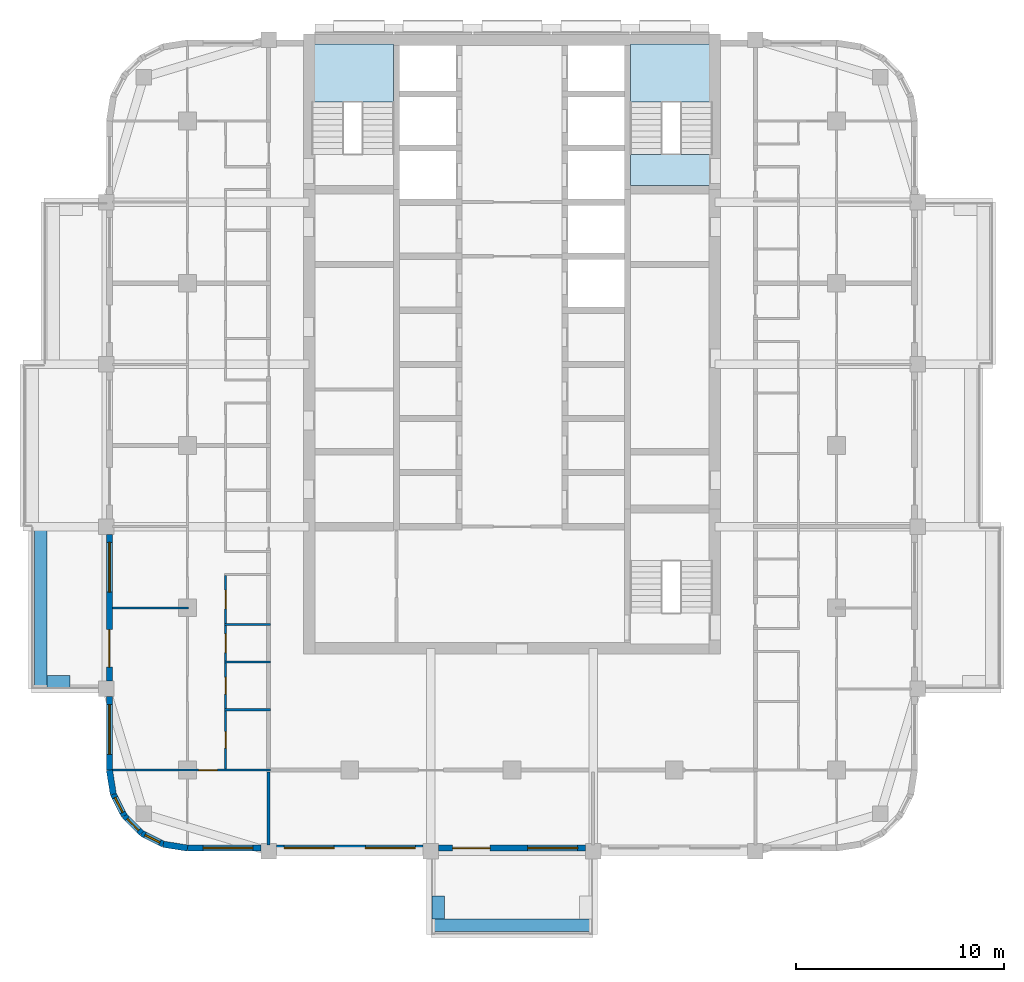
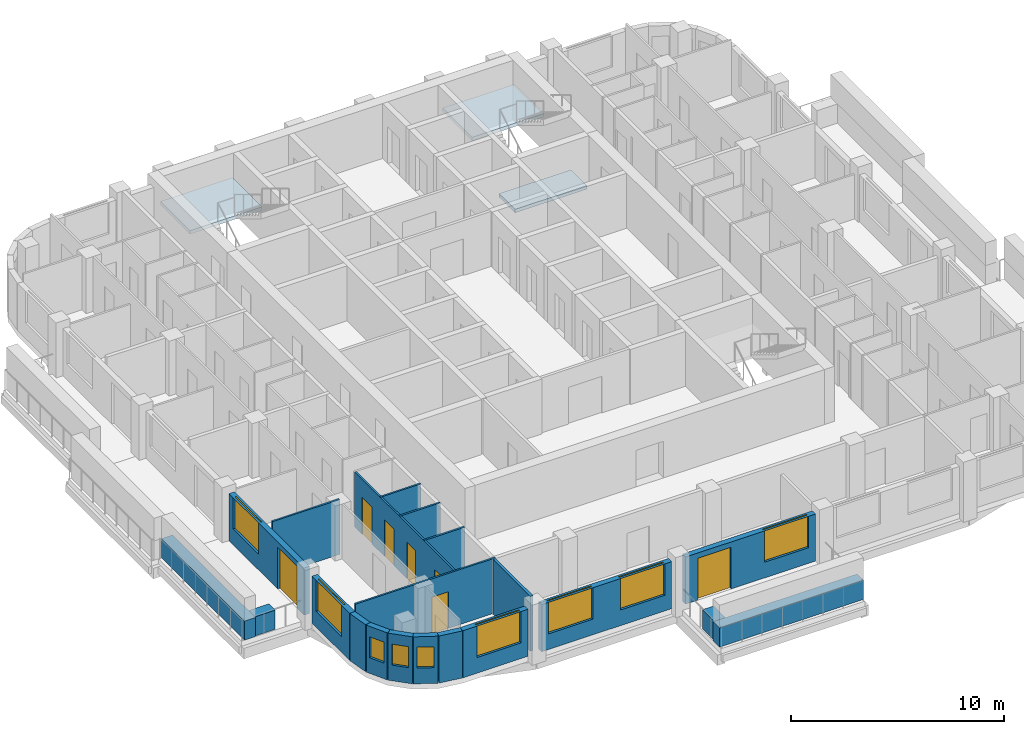
# One storey, part 2 of 13: 21 walls, 9 windows, 7 doors, 3 slabs, 16 openings, 2 elements without a shape of their own.
"""IFC4 building model written with IfcOpenShell, lengths in metres."""

from ifc_helpers import new_model, si_unit, direction, frame, frame_2d, origin, place, context, subcontext, project, spatial, polyline, rectangle, outline, extrude, material, layer, layer_set, type_object, element, fill, aggregate, save


model = new_model("IFC4")

# Units and contexts
model_context = context("Model", 3, precision=1e-05, world=origin(), true_north=direction((0.0, 1.0)))
body_context = subcontext(model_context, "Body", "Model", "MODEL_VIEW")
ifc_project = project(units=[si_unit("LENGTHUNIT", "METRE"), si_unit("AREAUNIT", "SQUARE_METRE"), si_unit("VOLUMEUNIT", "CUBIC_METRE"), si_unit("PLANEANGLEUNIT", "RADIAN"), si_unit("MASSUNIT", "GRAM", prefix="KILO")], contexts=[model_context])

# Site, building, storey
site_placement = place(None, origin())
site = spatial("IfcSite", under=ifc_project, at=site_placement, CompositionType="ELEMENT")
building_placement = place(site_placement, origin())
building = spatial("IfcBuilding", under=site, at=building_placement, Name="Ludao Terraces", CompositionType="ELEMENT")
storey_placement = place(building_placement, frame((0.0, 0.0, 179.199951171875)))
storey = spatial("IfcBuildingStorey", under=building, at=storey_placement, Name="L48", CompositionType="ELEMENT", Elevation=179.199951171875)

# Stair, slab
ifc_material_1 = material(Name="Concrete C40", Category="concrete")
stair_type = type_object("IfcStairType", Name="INT Stair", PredefinedType="HALF_TURN_STAIR", material=ifc_material_1)
stair_1_placement = place(storey_placement, origin())
stair_1 = element("IfcStair", 1, at=stair_1_placement, inside=storey, type_object=stair_type, Name="EXIT STAIR 1", PredefinedType="HALF_TURN_STAIR")
ifc_layer_1 = layer(ifc_material_1, 0.199951171875)
ifc_layer_set_1 = layer_set([ifc_layer_1], Name="INT Stair landing 200")
slab_type = type_object("IfcSlabType", Name="INT Stair landing 200", PredefinedType="LANDING", material=ifc_layer_set_1)
slab_1_placement = place(storey_placement, frame((0.0, 0.0, 1.5)))
slab_1 = element("IfcSlab", 2, at=slab_1_placement, type_object=slab_type, Name="ST1 landing 1", PredefinedType="LANDING", context=body_context, shape_type="SweptSolid", body=[
    extrude(outline(polyline([(75.39990234375, 81.52001953125), (79.300048828125, 81.52001953125), (79.300048828125, 84.300048828125), (75.39990234375, 84.300048828125), (75.39990234375, 81.52001953125)])), origin(), (0.0, 0.0, 1.0), 0.199951171875),
])
aggregate(stair_1, [slab_1])

# Stair, slabs
stair_2_placement = place(storey_placement, origin())
stair_2 = element("IfcStair", 3, at=stair_2_placement, inside=storey, type_object=stair_type, Name="EXIT STAIR 2", PredefinedType="HALF_TURN_STAIR")
slab_2_placement = place(storey_placement, frame((0.0, 0.0, 1.5)))
slab_2 = element("IfcSlab", 4, at=slab_2_placement, type_object=slab_type, Name="ST2 landing 1", PredefinedType="LANDING", context=body_context, shape_type="SweptSolid", body=[
    extrude(outline(polyline([(90.699951171875, 81.52001953125), (94.60009765625, 81.52001953125), (94.60009765625, 84.300048828125), (90.699951171875, 84.300048828125), (90.699951171875, 81.52001953125)])), origin(), (0.0, 0.0, 1.0), 0.199951171875),
])
slab_3_placement = place(storey_placement, frame((0.0, 0.0, -0.199951171875)))
slab_3 = element("IfcSlab", 5, at=slab_3_placement, type_object=slab_type, Name="ST2 landing 2", PredefinedType="LANDING", context=body_context, shape_type="SweptSolid", body=[
    extrude(outline(polyline([(90.699951171875, 77.5), (94.60009765625, 77.5), (94.60009765625, 79.0), (90.699951171875, 79.0), (90.699951171875, 77.5)])), origin(), (0.0, 0.0, 1.0), 0.199951171875),
])
aggregate(stair_2, [slab_2, slab_3])

# Walls
ifc_layer_2 = layer(ifc_material_1, 0.60009765625)
ifc_layer_set_2 = layer_set([ifc_layer_2], Name="ENV Planter trough 600")
wall_type_1 = type_object("IfcWallType", Name="ENV Planter trough 600", PredefinedType="USERDEFINED", material=ifc_layer_set_2)
wall_1_placement = place(storey_placement, frame((81.10009765625, 41.949951171875, 0.0), z_axis=(0.0, 0.0, 1.0), x_axis=(1.0, 0.0, 0.0)))
element("IfcWall", 6, at=wall_1_placement, inside=storey, type_object=wall_type_1, Name="PL-L48-S1", ObjectType="PLANTER", PredefinedType="USERDEFINED", context=body_context, shape_type="SweptSolid", body=[
    extrude(rectangle(XDim=7.7998046875, YDim=0.60009765625, at=frame_2d((3.89990234375, 0.0))), origin(), (0.0, 0.0, 1.0), 1.10009765625),
])
wall_2_placement = place(storey_placement, frame((81.449951171875, 42.25, 0.0), z_axis=(0.0, 0.0, 1.0), x_axis=(0.0, 1.0, 0.0)))
element("IfcWall", 7, at=wall_2_placement, inside=storey, type_object=wall_type_1, Name="PL-L48-S1-SA", ObjectType="PLANTER", PredefinedType="USERDEFINED", context=body_context, shape_type="SweptSolid", body=[
    extrude(rectangle(XDim=1.10009765625, YDim=0.60009765625, at=frame_2d((0.550048828125, 0.0))), origin(), (0.0, 0.0, 1.0), 1.10009765625),
])
wall_3_placement = place(storey_placement, frame((62.35009765625, 53.300048828125, 0.0), z_axis=(0.0, 0.0, 1.0), x_axis=(0.0, 1.0, 0.0)))
element("IfcWall", 8, at=wall_3_placement, inside=storey, type_object=wall_type_1, Name="PL-L48-W1", ObjectType="PLANTER", PredefinedType="USERDEFINED", context=body_context, shape_type="SweptSolid", body=[
    extrude(rectangle(XDim=7.800048828125, YDim=0.60009765625, at=frame_2d((3.89990234375, 0.0))), origin(), (0.0, 0.0, 1.0), 1.10009765625),
])
wall_4_placement = place(storey_placement, frame((62.64990234375, 53.64990234375, 0.0), z_axis=(0.0, 0.0, 1.0), x_axis=(1.0, 0.0, 0.0)))
element("IfcWall", 9, at=wall_4_placement, inside=storey, type_object=wall_type_1, Name="PL-L48-W1-SA", ObjectType="PLANTER", PredefinedType="USERDEFINED", context=body_context, shape_type="SweptSolid", body=[
    extrude(rectangle(XDim=1.10009765625, YDim=0.60009765625, at=frame_2d((0.550048828125, 0.0))), origin(), (0.0, 0.0, 1.0), 1.10009765625),
])

# Wall, opening, window
ifc_material_2 = material(Name="Granite cladding", Category="masonry")
ifc_layer_3 = layer(ifc_material_2, 0.0400390625, Category="stone")
ifc_material_3 = material(Name="Mineral wool")
ifc_layer_4 = layer(ifc_material_3, 0.06005859375)
ifc_layer_5 = layer(ifc_material_1, 0.199951171875, Category="concrete")
ifc_layer_set_3 = layer_set([ifc_layer_3, ifc_layer_4, ifc_layer_5], Name="ENV Stone-clad wall 300")
wall_type_2 = type_object("IfcWallType", Name="ENV Stone-clad wall 300", PredefinedType="SOLIDWALL", material=ifc_layer_set_3)
wall_5_placement = place(storey_placement, frame((69.39990234375, 45.64990234375, 0.0), z_axis=(0.0, 0.0, 1.0), x_axis=(1.0, 0.0, 0.0)))
wall_5 = element("IfcWall", 10, at=wall_5_placement, inside=storey, type_object=wall_type_2, Name="EW-L48-S1", PredefinedType="SOLIDWALL", context=body_context, shape_type="SweptSolid", body=[
    extrude(rectangle(XDim=3.525146484375, YDim=0.300048828125, at=frame_2d((1.7626953125, 0.0))), origin(), (0.0, 0.0, 1.0), 2.699951171875),
])
opening_1_placement = place(wall_5_placement, frame((0.75, 0.0, 0.89990234375)))
opening_1 = element("IfcOpeningElement", 11, at=opening_1_placement, cuts=wall_5, Name="Opening W1", PredefinedType="OPENING", context=body_context, shape_type="SweptSolid", body=[
    extrude(rectangle(XDim=2.39990234375, YDim=1.800048828125, at=frame_2d((1.199951171875, 0.89990234375))), frame((0.0, 0.16015625, 0.0), z_axis=(0.0, -1.0, 0.0), x_axis=(1.0, 0.0, 0.0)), (0.0, 0.0, 1.0), 0.320068359375),
])
ifc_material_4 = material(Name="Clear glass in aluminium frame", Category="aluminium")
ifc_layer_6 = layer(ifc_material_4, 0.06005859375)
ifc_layer_set_4 = layer_set([ifc_layer_6], Name="ENV Window W1 2400x1800")
window_type_1 = type_object("IfcWindowType", Name="ENV Window W1 2400x1800", PartitioningType="DOUBLE_PANEL_VERTICAL", PredefinedType="WINDOW", material=ifc_layer_set_4)
window_1_placement = place(opening_1_placement, origin())
window_1 = element("IfcWindow", 12, at=window_1_placement, inside=storey, type_object=window_type_1, Name="W-L48-S1-1", OverallHeight=1.800048828125, OverallWidth=2.39990234375, PartitioningType="DOUBLE_PANEL_VERTICAL", PredefinedType="WINDOW", context=body_context, shape_type="SweptSolid", body=[
    extrude(rectangle(XDim=2.39990234375, YDim=1.800048828125, at=frame_2d((1.199951171875, 0.89990234375))), frame((0.0, 0.030029296875, 0.0), z_axis=(0.0, -1.0, 0.0), x_axis=(1.0, 0.0, 0.0)), (0.0, 0.0, 1.0), 0.06005859375),
])
fill(opening_1, window_1)

# Wall, openings, windows
wall_6_placement = place(storey_placement, frame((73.675048828125, 45.64990234375, 0.0), z_axis=(0.0, 0.0, 1.0), x_axis=(1.0, 0.0, 0.0)))
wall_6 = element("IfcWall", 13, at=wall_6_placement, inside=storey, type_object=wall_type_2, Name="EW-L48-S2", PredefinedType="SOLIDWALL", context=body_context, shape_type="SweptSolid", body=[
    extrude(rectangle(XDim=7.050048828125, YDim=0.300048828125, at=frame_2d((3.52490234375, 0.0))), origin(), (0.0, 0.0, 1.0), 2.699951171875),
])
opening_2_placement = place(wall_6_placement, frame((0.375, 0.0, 0.89990234375)))
opening_2 = element("IfcOpeningElement", 14, at=opening_2_placement, cuts=wall_6, Name="Opening W1", PredefinedType="OPENING", context=body_context, shape_type="SweptSolid", body=[
    extrude(rectangle(XDim=2.39990234375, YDim=1.800048828125, at=frame_2d((1.199951171875, 0.89990234375))), frame((0.0, 0.16015625, 0.0), z_axis=(0.0, -1.0, 0.0), x_axis=(1.0, 0.0, 0.0)), (0.0, 0.0, 1.0), 0.320068359375),
])
opening_3_placement = place(wall_6_placement, frame((4.27490234375, 0.0, 0.89990234375)))
opening_3 = element("IfcOpeningElement", 15, at=opening_3_placement, cuts=wall_6, Name="Opening W1", PredefinedType="OPENING", context=body_context, shape_type="SweptSolid", body=[
    extrude(rectangle(XDim=2.39990234375, YDim=1.800048828125, at=frame_2d((1.199951171875, 0.89990234375))), frame((0.0, 0.16015625, 0.0), z_axis=(0.0, -1.0, 0.0), x_axis=(1.0, 0.0, 0.0)), (0.0, 0.0, 1.0), 0.320068359375),
])
window_2_placement = place(opening_2_placement, origin())
window_2 = element("IfcWindow", 16, at=window_2_placement, inside=storey, type_object=window_type_1, Name="W-L48-S2-1", OverallHeight=1.800048828125, OverallWidth=2.39990234375, PartitioningType="DOUBLE_PANEL_VERTICAL", PredefinedType="WINDOW", context=body_context, shape_type="SweptSolid", body=[
    extrude(rectangle(XDim=2.39990234375, YDim=1.800048828125, at=frame_2d((1.199951171875, 0.89990234375))), frame((0.0, 0.030029296875, 0.0), z_axis=(0.0, -1.0, 0.0), x_axis=(1.0, 0.0, 0.0)), (0.0, 0.0, 1.0), 0.06005859375),
])
fill(opening_2, window_2)
window_3_placement = place(opening_3_placement, origin())
window_3 = element("IfcWindow", 17, at=window_3_placement, inside=storey, type_object=window_type_1, Name="W-L48-S2-2", OverallHeight=1.800048828125, OverallWidth=2.39990234375, PartitioningType="DOUBLE_PANEL_VERTICAL", PredefinedType="WINDOW", context=body_context, shape_type="SweptSolid", body=[
    extrude(rectangle(XDim=2.39990234375, YDim=1.800048828125, at=frame_2d((1.199951171875, 0.89990234375))), frame((0.0, 0.030029296875, 0.0), z_axis=(0.0, -1.0, 0.0), x_axis=(1.0, 0.0, 0.0)), (0.0, 0.0, 1.0), 0.06005859375),
])
fill(opening_3, window_3)

# Wall, openings, door, window
wall_7_placement = place(storey_placement, frame((81.47509765625, 45.64990234375, 0.0), z_axis=(0.0, 0.0, 1.0), x_axis=(1.0, 0.0, 0.0)))
wall_7 = element("IfcWall", 18, at=wall_7_placement, inside=storey, type_object=wall_type_2, Name="EW-L48-S3", PredefinedType="SOLIDWALL", context=body_context, shape_type="SweptSolid", body=[
    extrude(rectangle(XDim=7.0498046875, YDim=0.300048828125, at=frame_2d((3.52490234375, 0.0))), origin(), (0.0, 0.0, 1.0), 2.699951171875),
])
opening_4_placement = place(wall_7_placement, frame((0.675048828125, 0.0, 0.0)))
opening_4 = element("IfcOpeningElement", 19, at=opening_4_placement, cuts=wall_7, Name="Opening BD", PredefinedType="OPENING", context=body_context, shape_type="SweptSolid", body=[
    extrude(rectangle(XDim=1.800048828125, YDim=2.39990234375, at=frame_2d((0.89990234375, 1.199951171875))), frame((0.0, 0.16015625, 0.0), z_axis=(0.0, -1.0, 0.0), x_axis=(1.0, 0.0, 0.0)), (0.0, 0.0, 1.0), 0.320068359375),
])
opening_5_placement = place(wall_7_placement, frame((4.27490234375, 0.0, 0.89990234375)))
opening_5 = element("IfcOpeningElement", 20, at=opening_5_placement, cuts=wall_7, Name="Opening W1", PredefinedType="OPENING", context=body_context, shape_type="SweptSolid", body=[
    extrude(rectangle(XDim=2.39990234375, YDim=1.800048828125, at=frame_2d((1.199951171875, 0.89990234375))), frame((0.0, 0.16015625, 0.0), z_axis=(0.0, -1.0, 0.0), x_axis=(1.0, 0.0, 0.0)), (0.0, 0.0, 1.0), 0.320068359375),
])
ifc_material_5 = material(Name="Aluminium glazed door", Category="aluminium")
ifc_layer_7 = layer(ifc_material_5, 0.06005859375)
ifc_layer_set_5 = layer_set([ifc_layer_7], Name="ENV Balcony door BD 1800x2400")
door_type_1 = type_object("IfcDoorType", Name="ENV Balcony door BD 1800x2400", OperationType="DOUBLE_DOOR_SINGLE_SWING", PredefinedType="DOOR", material=ifc_layer_set_5)
door_1_placement = place(opening_4_placement, origin())
door_1 = element("IfcDoor", 21, at=door_1_placement, inside=storey, type_object=door_type_1, Name="BD-L48-S3-1", OperationType="DOUBLE_DOOR_SINGLE_SWING", OverallHeight=2.39990234375, OverallWidth=1.800048828125, PredefinedType="DOOR", context=body_context, shape_type="SweptSolid", body=[
    extrude(rectangle(XDim=1.800048828125, YDim=2.39990234375, at=frame_2d((0.89990234375, 1.199951171875))), frame((0.0, 0.02490234375, 0.0), z_axis=(0.0, -1.0, 0.0), x_axis=(1.0, 0.0, 0.0)), (0.0, 0.0, 1.0), 0.050048828125),
])
fill(opening_4, door_1)
window_4_placement = place(opening_5_placement, origin())
window_4 = element("IfcWindow", 22, at=window_4_placement, inside=storey, type_object=window_type_1, Name="W-L48-S3-2", OverallHeight=1.800048828125, OverallWidth=2.39990234375, PartitioningType="DOUBLE_PANEL_VERTICAL", PredefinedType="WINDOW", context=body_context, shape_type="SweptSolid", body=[
    extrude(rectangle(XDim=2.39990234375, YDim=1.800048828125, at=frame_2d((1.199951171875, 0.89990234375))), frame((0.0, 0.030029296875, 0.0), z_axis=(0.0, -1.0, 0.0), x_axis=(1.0, 0.0, 0.0)), (0.0, 0.0, 1.0), 0.06005859375),
])
fill(opening_5, window_4)

# Wall, opening, window
wall_8_placement = place(storey_placement, frame((65.64990234375, 49.39990234375, 0.0), z_axis=(0.0, 0.0, 1.0), x_axis=(0.0, 1.0, 0.0)))
wall_8 = element("IfcWall", 23, at=wall_8_placement, inside=storey, type_object=wall_type_2, Name="EW-L48-W1", PredefinedType="SOLIDWALL", context=body_context, shape_type="SweptSolid", body=[
    extrude(rectangle(XDim=3.525146484375, YDim=0.300048828125, at=frame_2d((1.7626953125, 0.0))), origin(), (0.0, 0.0, 1.0), 2.699951171875),
])
opening_6_placement = place(wall_8_placement, frame((0.75, 0.0, 0.89990234375)))
opening_6 = element("IfcOpeningElement", 24, at=opening_6_placement, cuts=wall_8, Name="Opening W1", PredefinedType="OPENING", context=body_context, shape_type="SweptSolid", body=[
    extrude(rectangle(XDim=2.39990234375, YDim=1.800048828125, at=frame_2d((1.199951171875, 0.89990234375))), frame((0.0, 0.16015625, 0.0), z_axis=(0.0, -1.0, 0.0), x_axis=(1.0, 0.0, 0.0)), (0.0, 0.0, 1.0), 0.320068359375),
])
window_5_placement = place(opening_6_placement, origin())
window_5 = element("IfcWindow", 25, at=window_5_placement, inside=storey, type_object=window_type_1, Name="W-L48-W1-1", OverallHeight=1.800048828125, OverallWidth=2.39990234375, PartitioningType="DOUBLE_PANEL_VERTICAL", PredefinedType="WINDOW", context=body_context, shape_type="SweptSolid", body=[
    extrude(rectangle(XDim=2.39990234375, YDim=1.800048828125, at=frame_2d((1.199951171875, 0.89990234375))), frame((0.0, 0.030029296875, 0.0), z_axis=(0.0, -1.0, 0.0), x_axis=(1.0, 0.0, 0.0)), (0.0, 0.0, 1.0), 0.06005859375),
])
fill(opening_6, window_5)

# Wall, openings, door, window
wall_9_placement = place(storey_placement, frame((65.64990234375, 53.675048828125, 0.0), z_axis=(0.0, 0.0, 1.0), x_axis=(0.0, 1.0, 0.0)))
wall_9 = element("IfcWall", 26, at=wall_9_placement, inside=storey, type_object=wall_type_2, Name="EW-L48-W2", PredefinedType="SOLIDWALL", context=body_context, shape_type="SweptSolid", body=[
    extrude(rectangle(XDim=7.050048828125, YDim=0.300048828125, at=frame_2d((3.52490234375, 0.0))), origin(), (0.0, 0.0, 1.0), 2.699951171875),
])
opening_7_placement = place(wall_9_placement, frame((0.675048828125, 0.0, 0.0)))
opening_7 = element("IfcOpeningElement", 27, at=opening_7_placement, cuts=wall_9, Name="Opening BD", PredefinedType="OPENING", context=body_context, shape_type="SweptSolid", body=[
    extrude(rectangle(XDim=1.800048828125, YDim=2.39990234375, at=frame_2d((0.89990234375, 1.199951171875))), frame((0.0, 0.16015625, 0.0), z_axis=(0.0, -1.0, 0.0), x_axis=(1.0, 0.0, 0.0)), (0.0, 0.0, 1.0), 0.320068359375),
])
opening_8_placement = place(wall_9_placement, frame((4.27490234375, 0.0, 0.89990234375)))
opening_8 = element("IfcOpeningElement", 28, at=opening_8_placement, cuts=wall_9, Name="Opening W1", PredefinedType="OPENING", context=body_context, shape_type="SweptSolid", body=[
    extrude(rectangle(XDim=2.39990234375, YDim=1.800048828125, at=frame_2d((1.199951171875, 0.89990234375))), frame((0.0, 0.16015625, 0.0), z_axis=(0.0, -1.0, 0.0), x_axis=(1.0, 0.0, 0.0)), (0.0, 0.0, 1.0), 0.320068359375),
])
door_2_placement = place(opening_7_placement, origin())
door_2 = element("IfcDoor", 29, at=door_2_placement, inside=storey, type_object=door_type_1, Name="BD-L48-W2-1", OperationType="DOUBLE_DOOR_SINGLE_SWING", OverallHeight=2.39990234375, OverallWidth=1.800048828125, PredefinedType="DOOR", context=body_context, shape_type="SweptSolid", body=[
    extrude(rectangle(XDim=1.800048828125, YDim=2.39990234375, at=frame_2d((0.89990234375, 1.199951171875))), frame((0.0, 0.02490234375, 0.0), z_axis=(0.0, -1.0, 0.0), x_axis=(1.0, 0.0, 0.0)), (0.0, 0.0, 1.0), 0.050048828125),
])
fill(opening_7, door_2)
window_6_placement = place(opening_8_placement, origin())
window_6 = element("IfcWindow", 30, at=window_6_placement, inside=storey, type_object=window_type_1, Name="W-L48-W2-2", OverallHeight=1.800048828125, OverallWidth=2.39990234375, PartitioningType="DOUBLE_PANEL_VERTICAL", PredefinedType="WINDOW", context=body_context, shape_type="SweptSolid", body=[
    extrude(rectangle(XDim=2.39990234375, YDim=1.800048828125, at=frame_2d((1.199951171875, 0.89990234375))), frame((0.0, 0.030029296875, 0.0), z_axis=(0.0, -1.0, 0.0), x_axis=(1.0, 0.0, 0.0)), (0.0, 0.0, 1.0), 0.06005859375),
])
fill(opening_8, window_6)

# Wall
wall_10_placement = place(storey_placement, frame((65.64990234375, 49.39990234375, 0.0), z_axis=(0.0, 0.0, 1.0), x_axis=(0.156496880861, -0.987678452879, 0.0)))
element("IfcWall", 31, at=wall_10_placement, inside=storey, type_object=wall_type_2, Name="EW-L48-SW1", PredefinedType="SOLIDWALL", context=body_context, shape_type="SweptSolid", body=[
    extrude(rectangle(XDim=1.173095703125, YDim=0.300048828125, at=frame_2d((0.58642578125, 0.0))), origin(), (0.0, 0.0, 1.0), 2.699951171875),
])

# Wall, opening, window
wall_11_placement = place(storey_placement, frame((65.83349609375, 48.2412109375, 0.0), z_axis=(0.0, 0.0, 1.0), x_axis=(0.454025524128, -0.890988677504, 0.0)))
wall_11 = element("IfcWall", 32, at=wall_11_placement, inside=storey, type_object=wall_type_2, Name="EW-L48-SW2", PredefinedType="SOLIDWALL", context=body_context, shape_type="SweptSolid", body=[
    extrude(rectangle(XDim=1.17333984375, YDim=0.300048828125, at=frame_2d((0.586669921875, 0.0))), origin(), (0.0, 0.0, 1.0), 2.699951171875),
])
opening_9_placement = place(wall_11_placement, frame((0.1865234375, 0.0, 0.89990234375)))
opening_9 = element("IfcOpeningElement", 33, at=opening_9_placement, cuts=wall_11, Name="Opening W3", PredefinedType="OPENING", context=body_context, shape_type="SweptSolid", body=[
    extrude(rectangle(XDim=0.800048828125, YDim=1.199951171875, at=frame_2d((0.39990234375, 0.60009765625))), frame((0.0, 0.16015625, 0.0), z_axis=(0.0, -1.0, 0.0), x_axis=(1.0, 0.0, 0.0)), (0.0, 0.0, 1.0), 0.320068359375),
])
ifc_layer_8 = layer(ifc_material_4, 0.06005859375)
ifc_layer_set_6 = layer_set([ifc_layer_8], Name="ENV Window W3 800x1200")
window_type_2 = type_object("IfcWindowType", Name="ENV Window W3 800x1200", PartitioningType="SINGLE_PANEL", PredefinedType="WINDOW", material=ifc_layer_set_6)
window_7_placement = place(opening_9_placement, origin())
window_7 = element("IfcWindow", 34, at=window_7_placement, inside=storey, type_object=window_type_2, Name="W-L48-SW2", OverallHeight=1.199951171875, OverallWidth=0.800048828125, PartitioningType="SINGLE_PANEL", PredefinedType="WINDOW", context=body_context, shape_type="SweptSolid", body=[
    extrude(rectangle(XDim=0.800048828125, YDim=1.199951171875, at=frame_2d((0.39990234375, 0.60009765625))), frame((0.0, 0.030029296875, 0.0), z_axis=(0.0, -1.0, 0.0), x_axis=(1.0, 0.0, 0.0)), (0.0, 0.0, 1.0), 0.06005859375),
])
fill(opening_9, window_7)

wall_12_placement = place(storey_placement, frame((66.3662109375, 47.19580078125, 0.0), z_axis=(0.0, 0.0, 1.0), x_axis=(0.707106781187, -0.707106781187, 0.0)))
wall_12 = element("IfcWall", 35, at=wall_12_placement, inside=storey, type_object=wall_type_2, Name="EW-L48-SW3", PredefinedType="SOLIDWALL", context=body_context, shape_type="SweptSolid", body=[
    extrude(rectangle(XDim=1.173095703125, YDim=0.300048828125, at=frame_2d((0.58642578125, 0.0))), origin(), (0.0, 0.0, 1.0), 2.699951171875),
])
opening_10_placement = place(wall_12_placement, frame((0.1865234375, 0.0, 0.89990234375)))
opening_10 = element("IfcOpeningElement", 36, at=opening_10_placement, cuts=wall_12, Name="Opening W3", PredefinedType="OPENING", context=body_context, shape_type="SweptSolid", body=[
    extrude(rectangle(XDim=0.800048828125, YDim=1.199951171875, at=frame_2d((0.39990234375, 0.60009765625))), frame((0.0, 0.16015625, 0.0), z_axis=(0.0, -1.0, 0.0), x_axis=(1.0, 0.0, 0.0)), (0.0, 0.0, 1.0), 0.320068359375),
])
window_8_placement = place(opening_10_placement, origin())
window_8 = element("IfcWindow", 37, at=window_8_placement, inside=storey, type_object=window_type_2, Name="W-L48-SW3", OverallHeight=1.199951171875, OverallWidth=0.800048828125, PartitioningType="SINGLE_PANEL", PredefinedType="WINDOW", context=body_context, shape_type="SweptSolid", body=[
    extrude(rectangle(XDim=0.800048828125, YDim=1.199951171875, at=frame_2d((0.39990234375, 0.60009765625))), frame((0.0, 0.030029296875, 0.0), z_axis=(0.0, -1.0, 0.0), x_axis=(1.0, 0.0, 0.0)), (0.0, 0.0, 1.0), 0.06005859375),
])
fill(opening_10, window_8)

wall_13_placement = place(storey_placement, frame((67.19580078125, 46.3662109375, 0.0), z_axis=(0.0, 0.0, 1.0), x_axis=(0.890988677504, -0.454025524128, 0.0)))
wall_13 = element("IfcWall", 38, at=wall_13_placement, inside=storey, type_object=wall_type_2, Name="EW-L48-SW4", PredefinedType="SOLIDWALL", context=body_context, shape_type="SweptSolid", body=[
    extrude(rectangle(XDim=1.17333984375, YDim=0.300048828125, at=frame_2d((0.586669921875, 0.0))), origin(), (0.0, 0.0, 1.0), 2.699951171875),
])
opening_11_placement = place(wall_13_placement, frame((0.1865234375, 0.0, 0.89990234375)))
opening_11 = element("IfcOpeningElement", 39, at=opening_11_placement, cuts=wall_13, Name="Opening W3", PredefinedType="OPENING", context=body_context, shape_type="SweptSolid", body=[
    extrude(rectangle(XDim=0.800048828125, YDim=1.199951171875, at=frame_2d((0.39990234375, 0.60009765625))), frame((0.0, 0.16015625, 0.0), z_axis=(0.0, -1.0, 0.0), x_axis=(1.0, 0.0, 0.0)), (0.0, 0.0, 1.0), 0.320068359375),
])
window_9_placement = place(opening_11_placement, origin())
window_9 = element("IfcWindow", 40, at=window_9_placement, inside=storey, type_object=window_type_2, Name="W-L48-SW4", OverallHeight=1.199951171875, OverallWidth=0.800048828125, PartitioningType="SINGLE_PANEL", PredefinedType="WINDOW", context=body_context, shape_type="SweptSolid", body=[
    extrude(rectangle(XDim=0.800048828125, YDim=1.199951171875, at=frame_2d((0.39990234375, 0.60009765625))), frame((0.0, 0.030029296875, 0.0), z_axis=(0.0, -1.0, 0.0), x_axis=(1.0, 0.0, 0.0)), (0.0, 0.0, 1.0), 0.06005859375),
])
fill(opening_11, window_9)

# Wall
wall_14_placement = place(storey_placement, frame((68.2412109375, 45.83349609375, 0.0), z_axis=(0.0, 0.0, 1.0), x_axis=(0.987678452879, -0.156496880861, 0.0)))
element("IfcWall", 41, at=wall_14_placement, inside=storey, type_object=wall_type_2, Name="EW-L48-SW5", PredefinedType="SOLIDWALL", context=body_context, shape_type="SweptSolid", body=[
    extrude(rectangle(XDim=1.173095703125, YDim=0.300048828125, at=frame_2d((0.58642578125, 0.0))), origin(), (0.0, 0.0, 1.0), 2.699951171875),
])

# Wall, opening, door
ifc_material_6 = material(Name="Gypsum plasterboard", Category="gypsum")
ifc_layer_9 = layer(ifc_material_6, 0.012451171875, Category="gypsum")
ifc_layer_10 = layer(ifc_material_3, 0.06005859375, Name="insulation")
ifc_material_7 = material(Name="Steel Q235", Category="steel")
ifc_layer_11 = layer(ifc_material_7, 0.014892578125, Name="stud")
ifc_layer_12 = layer(ifc_material_6, 0.012451171875, Category="gypsum")
ifc_layer_set_7 = layer_set([ifc_layer_9, ifc_layer_10, ifc_layer_11, ifc_layer_12], Name="INT Partition 100")
wall_type_3 = type_object("IfcWallType", Name="INT Partition 100", PredefinedType="PARTITIONING", material=ifc_layer_set_7)
wall_15_placement = place(storey_placement, frame((65.800048828125, 49.39990234375, 0.0), z_axis=(0.0, 0.0, 1.0), x_axis=(1.0, 0.0, 0.0)))
wall_15 = element("IfcWall", 42, at=wall_15_placement, inside=storey, type_object=wall_type_3, Name="PW-L48-PW000", PredefinedType="PARTITIONING", context=body_context, shape_type="SweptSolid", body=[
    extrude(rectangle(XDim=7.60009765625, YDim=0.10009765625, at=frame_2d((3.800048828125, 0.0))), origin(), (0.0, 0.0, 1.0), 3.150146484375),
])
opening_12_placement = place(wall_15_placement, frame((4.139892578125, 0.0, 0.0)))
opening_12 = element("IfcOpeningElement", 43, at=opening_12_placement, cuts=wall_15, Name="Opening R17-003", PredefinedType="OPENING", context=body_context, shape_type="SweptSolid", body=[
    extrude(rectangle(XDim=0.89990234375, YDim=2.10009765625, at=frame_2d((0.449951171875, 1.050048828125))), frame((0.0, 0.06005859375, 0.0), z_axis=(0.0, -1.0, 0.0), x_axis=(1.0, 0.0, 0.0)), (0.0, 0.0, 1.0), 0.1201171875),
])
ifc_material_8 = material(Name="Timber door leaf", Category="wood")
door_type_2 = type_object("IfcDoorType", Name="INT Room door 900", OperationType="SINGLE_SWING_LEFT", PredefinedType="DOOR", material=ifc_material_8)
door_3_placement = place(opening_12_placement, origin())
door_3 = element("IfcDoor", 44, at=door_3_placement, inside=storey, type_object=door_type_2, Name="DOOR 003", OperationType="SINGLE_SWING_RIGHT", OverallHeight=2.10009765625, OverallWidth=0.89990234375, PredefinedType="DOOR", context=body_context, shape_type="SweptSolid", body=[
    extrude(rectangle(XDim=0.89990234375, YDim=2.10009765625, at=frame_2d((0.449951171875, 1.050048828125))), frame((0.0, 0.02490234375, 0.0), z_axis=(0.0, -1.0, 0.0), x_axis=(1.0, 0.0, 0.0)), (0.0, 0.0, 1.0), 0.050048828125),
])
fill(opening_12, door_3)

# Walls
for number, where, z_axis, x_axis, name in (
    (45, (71.18017578125, 52.300048828125, 0.0), (0.0, 0.0, 1.0), (1.0, 0.0, 0.0), "PW-L48-PW003"),
    (46, (71.18017578125, 54.60009765625, 0.0), (0.0, 0.0, 1.0), (1.0, 0.0, 0.0), "PW-L48-PW006"),
    (47, (71.18017578125, 56.39990234375, 0.0), (0.0, 0.0, 1.0), (1.0, 0.0, 0.0), "PW-L48-PW009"),
):
    element("IfcWall", number, at=place(storey_placement, frame(where, z_axis=z_axis, x_axis=x_axis)), inside=storey, type_object=wall_type_3, Name=name, PredefinedType="PARTITIONING", context=body_context, shape_type="SweptSolid", body=[
        extrude(rectangle(XDim=2.219970703125, YDim=0.10009765625, at=frame_2d((1.10986328125, 0.0))), origin(), (0.0, 0.0, 1.0), 3.150146484375),
    ])
wall_16_placement = place(storey_placement, frame((65.800048828125, 57.199951171875, 0.0), z_axis=(0.0, 0.0, 1.0), x_axis=(1.0, 0.0, 0.0)))
element("IfcWall", 48, at=wall_16_placement, inside=storey, type_object=wall_type_3, Name="PW-L48-PW010", PredefinedType="PARTITIONING", context=body_context, shape_type="SweptSolid", body=[
    extrude(rectangle(XDim=3.650146484375, YDim=0.10009765625, at=frame_2d((1.8251953125, 0.0))), origin(), (0.0, 0.0, 1.0), 3.150146484375),
])

# Wall, openings, doors
wall_17_placement = place(storey_placement, frame((71.22998046875, 49.4501953125, 0.0), z_axis=(0.0, 0.0, 1.0), x_axis=(0.0, 1.0, 0.0)))
wall_17 = element("IfcWall", 49, at=wall_17_placement, inside=storey, type_object=wall_type_3, Name="PW-L48-PW047", PredefinedType="PARTITIONING", context=body_context, shape_type="SweptSolid", body=[
    extrude(rectangle(XDim=9.2998046875, YDim=0.10009765625, at=frame_2d((4.64990234375, 0.0))), origin(), (0.0, 0.0, 1.0), 3.150146484375),
])
opening_13_placement = place(wall_17_placement, frame((1.0, 0.0, 0.0)))
opening_13 = element("IfcOpeningElement", 50, at=opening_13_placement, cuts=wall_17, Name="Opening R17-007", PredefinedType="OPENING", context=body_context, shape_type="SweptSolid", body=[
    extrude(rectangle(XDim=0.800048828125, YDim=2.10009765625, at=frame_2d((0.39990234375, 1.050048828125))), frame((0.0, 0.06005859375, 0.0), z_axis=(0.0, -1.0, 0.0), x_axis=(1.0, 0.0, 0.0)), (0.0, 0.0, 1.0), 0.1201171875),
])
opening_14_placement = place(wall_17_placement, frame((3.599853515625, 0.0, 0.0)))
opening_14 = element("IfcOpeningElement", 51, at=opening_14_placement, cuts=wall_17, Name="Opening R17-011", PredefinedType="OPENING", context=body_context, shape_type="SweptSolid", body=[
    extrude(rectangle(XDim=0.800048828125, YDim=2.10009765625, at=frame_2d((0.39990234375, 1.050048828125))), frame((0.0, 0.06005859375, 0.0), z_axis=(0.0, -1.0, 0.0), x_axis=(1.0, 0.0, 0.0)), (0.0, 0.0, 1.0), 0.1201171875),
])
opening_15_placement = place(wall_17_placement, frame((5.599853515625, 0.0, 0.0)))
opening_15 = element("IfcOpeningElement", 52, at=opening_15_placement, cuts=wall_17, Name="Opening R17-015", PredefinedType="OPENING", context=body_context, shape_type="SweptSolid", body=[
    extrude(rectangle(XDim=0.89990234375, YDim=2.10009765625, at=frame_2d((0.449951171875, 1.050048828125))), frame((0.0, 0.06005859375, 0.0), z_axis=(0.0, -1.0, 0.0), x_axis=(1.0, 0.0, 0.0)), (0.0, 0.0, 1.0), 0.1201171875),
])
opening_16_placement = place(wall_17_placement, frame((7.699951171875, 0.0, 0.0)))
opening_16 = element("IfcOpeningElement", 53, at=opening_16_placement, cuts=wall_17, Name="Opening R17-020", PredefinedType="OPENING", context=body_context, shape_type="SweptSolid", body=[
    extrude(rectangle(XDim=0.89990234375, YDim=2.10009765625, at=frame_2d((0.449951171875, 1.050048828125))), frame((0.0, 0.06005859375, 0.0), z_axis=(0.0, -1.0, 0.0), x_axis=(1.0, 0.0, 0.0)), (0.0, 0.0, 1.0), 0.1201171875),
])
door_type_3 = type_object("IfcDoorType", Name="INT Bathroom door 900", OperationType="SINGLE_SWING_LEFT", PredefinedType="DOOR", material=ifc_material_8)
door_4_placement = place(opening_15_placement, origin())
door_4 = element("IfcDoor", 54, at=door_4_placement, inside=storey, type_object=door_type_3, Name="DOOR 015", OperationType="SINGLE_SWING_RIGHT", OverallHeight=2.10009765625, OverallWidth=0.89990234375, PredefinedType="DOOR", context=body_context, shape_type="SweptSolid", body=[
    extrude(rectangle(XDim=0.89990234375, YDim=2.10009765625, at=frame_2d((0.449951171875, 1.050048828125))), frame((0.0, 0.02490234375, 0.0), z_axis=(0.0, -1.0, 0.0), x_axis=(1.0, 0.0, 0.0)), (0.0, 0.0, 1.0), 0.050048828125),
])
fill(opening_15, door_4)
door_5_placement = place(opening_16_placement, origin())
door_5 = element("IfcDoor", 55, at=door_5_placement, inside=storey, type_object=door_type_3, Name="DOOR 020", OperationType="SINGLE_SWING_RIGHT", OverallHeight=2.10009765625, OverallWidth=0.89990234375, PredefinedType="DOOR", context=body_context, shape_type="SweptSolid", body=[
    extrude(rectangle(XDim=0.89990234375, YDim=2.10009765625, at=frame_2d((0.449951171875, 1.050048828125))), frame((0.0, 0.02490234375, 0.0), z_axis=(0.0, -1.0, 0.0), x_axis=(1.0, 0.0, 0.0)), (0.0, 0.0, 1.0), 0.050048828125),
])
fill(opening_16, door_5)
door_type_4 = type_object("IfcDoorType", Name="INT Store door 800", OperationType="SINGLE_SWING_LEFT", PredefinedType="DOOR", material=ifc_material_8)
door_6_placement = place(opening_13_placement, origin())
door_6 = element("IfcDoor", 56, at=door_6_placement, inside=storey, type_object=door_type_4, Name="DOOR 007", OperationType="SINGLE_SWING_LEFT", OverallHeight=2.10009765625, OverallWidth=0.800048828125, PredefinedType="DOOR", context=body_context, shape_type="SweptSolid", body=[
    extrude(rectangle(XDim=0.800048828125, YDim=2.10009765625, at=frame_2d((0.39990234375, 1.050048828125))), frame((0.0, 0.02490234375, 0.0), z_axis=(0.0, -1.0, 0.0), x_axis=(1.0, 0.0, 0.0)), (0.0, 0.0, 1.0), 0.050048828125),
])
fill(opening_13, door_6)
door_7_placement = place(opening_14_placement, origin())
door_7 = element("IfcDoor", 57, at=door_7_placement, inside=storey, type_object=door_type_4, Name="DOOR 011", OperationType="SINGLE_SWING_RIGHT", OverallHeight=2.10009765625, OverallWidth=0.800048828125, PredefinedType="DOOR", context=body_context, shape_type="SweptSolid", body=[
    extrude(rectangle(XDim=0.800048828125, YDim=2.10009765625, at=frame_2d((0.39990234375, 1.050048828125))), frame((0.0, 0.02490234375, 0.0), z_axis=(0.0, -1.0, 0.0), x_axis=(1.0, 0.0, 0.0)), (0.0, 0.0, 1.0), 0.050048828125),
])
fill(opening_14, door_7)

# Wall
ifc_material_9 = material(Name="Autoclaved aerated concrete block B06 A3.5", Category="concrete")
ifc_layer_13 = layer(ifc_material_9, 0.14990234375)
ifc_layer_set_8 = layer_set([ifc_layer_13], Name="INT Party wall 150")
wall_type_4 = type_object("IfcWallType", Name="INT Party wall 150", PredefinedType="PARTITIONING", material=ifc_layer_set_8)
wall_18_placement = place(storey_placement, frame((73.300048828125, 45.800048828125, 0.0), z_axis=(0.0, 0.0, 1.0), x_axis=(0.0, 1.0, 0.0)))
element("IfcWall", 58, at=wall_18_placement, inside=storey, type_object=wall_type_4, Name="PW-L48-PW051", PredefinedType="PARTITIONING", context=body_context, shape_type="SweptSolid", body=[
    extrude(rectangle(XDim=3.5, YDim=0.14990234375, at=frame_2d((1.75, 0.0))), origin(), (0.0, 0.0, 1.0), 3.150146484375),
])

save(model, "model.ifc")
